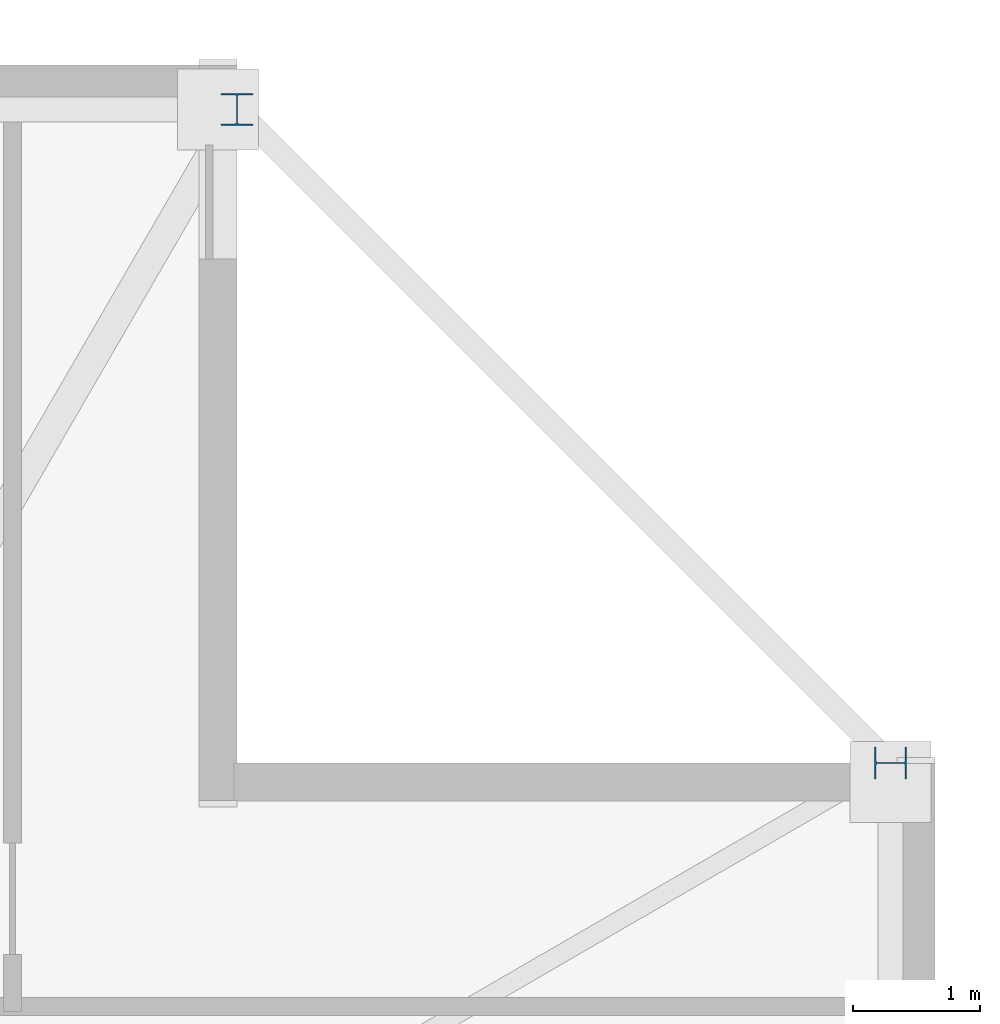
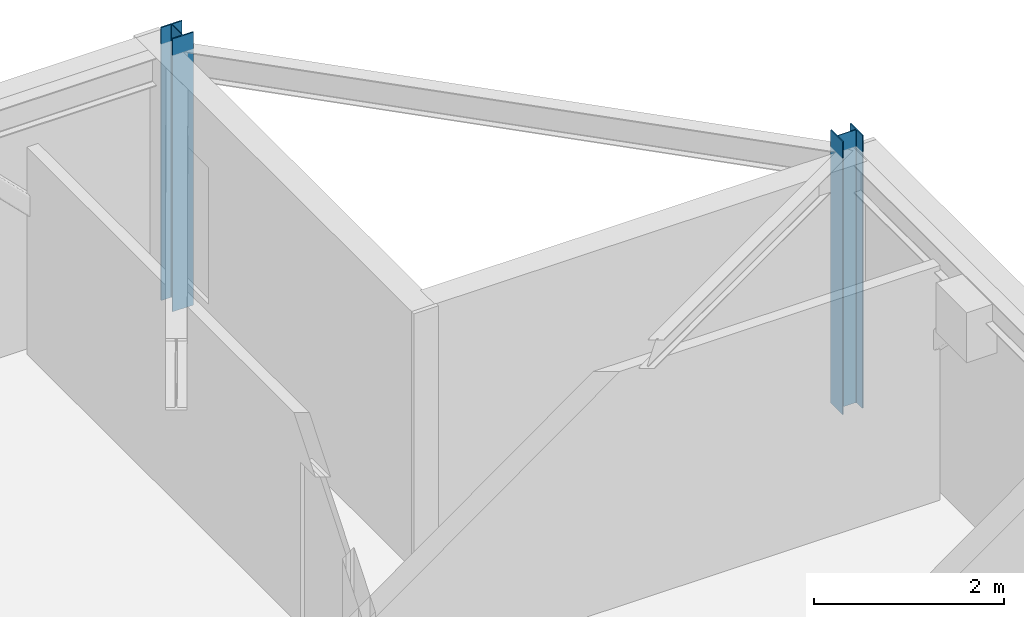
# One storey, part 5 of 15: 2 columns.
"""IFC4 building model written with IfcOpenShell, lengths in metres."""

from ifc_helpers import new_model, si_unit, direction, frame, origin, origin_2d, place, context, subcontext, project, spatial, i_section, extrude, material, material_profile, profile_set, type_object, element, save


model = new_model("IFC4")

# Units and contexts
model_context = context("Model", 3, precision=1e-05, world=origin(), true_north=direction((0.0, 1.0)))
body_context = subcontext(model_context, "Body", "Model", "MODEL_VIEW")
ifc_project = project(units=[si_unit("LENGTHUNIT", "METRE"), si_unit("AREAUNIT", "SQUARE_METRE"), si_unit("VOLUMEUNIT", "CUBIC_METRE"), si_unit("PLANEANGLEUNIT", "RADIAN"), si_unit("MASSUNIT", "GRAM", prefix="KILO")], contexts=[model_context])

# Site, building, storey
site_placement = place(None, origin())
site = spatial("IfcSite", under=ifc_project, at=site_placement, CompositionType="ELEMENT")
building_placement = place(site_placement, origin())
building = spatial("IfcBuilding", under=site, at=building_placement, Name="Cairnveth Concourse Tower", CompositionType="ELEMENT")
storey_placement = place(building_placement, frame((0.0, 0.0, 287.5)))
storey = spatial("IfcBuildingStorey", under=building, at=storey_placement, Name="L79", CompositionType="ELEMENT", Elevation=287.5)

# Columns
ifc_material = material(Name="Steel Grade 350", Category="steel")
ifc_material_profile = material_profile(ifc_material, i_section(OverallWidth=0.25390625, OverallDepth=0.25390625, WebThickness=0.008544921875, FlangeThickness=0.01416015625, FilletRadius=0.012939453125, at=origin_2d()), Name="250UC72.9")
ifc_profile_set = profile_set([ifc_material_profile], Name="Steel Grade 350")
column_type = type_object("IfcColumnType", Name="UNIVERSAL STEEL COLUMN 250UC72.9", PredefinedType="COLUMN", material=ifc_profile_set)
for number, where, z_axis, x_axis, name in (
    (1, (72.64990234375, 54.5, 0.0), (0.0, 0.0, 1.0), (0.0, 1.0, 0.0), "Column P-E4 L79"),
    (2, (67.5, 59.64990234375, 0.0), (0.0, 0.0, 1.0), (1.0, 0.0, 0.0), "Column P-N1 L79"),
):
    element("IfcColumn", number, at=place(storey_placement, frame(where, z_axis=z_axis, x_axis=x_axis)), inside=storey, type_object=column_type, Name=name, PredefinedType="COLUMN", context=body_context, shape_type="SweptSolid", body=[
        extrude(i_section(OverallWidth=0.25390625, OverallDepth=0.25390625, WebThickness=0.008544921875, FlangeThickness=0.01416015625, FilletRadius=0.012939453125, at=origin_2d()), origin(), (0.0, 0.0, 1.0), 3.5),
    ])

save(model, "model.ifc")
